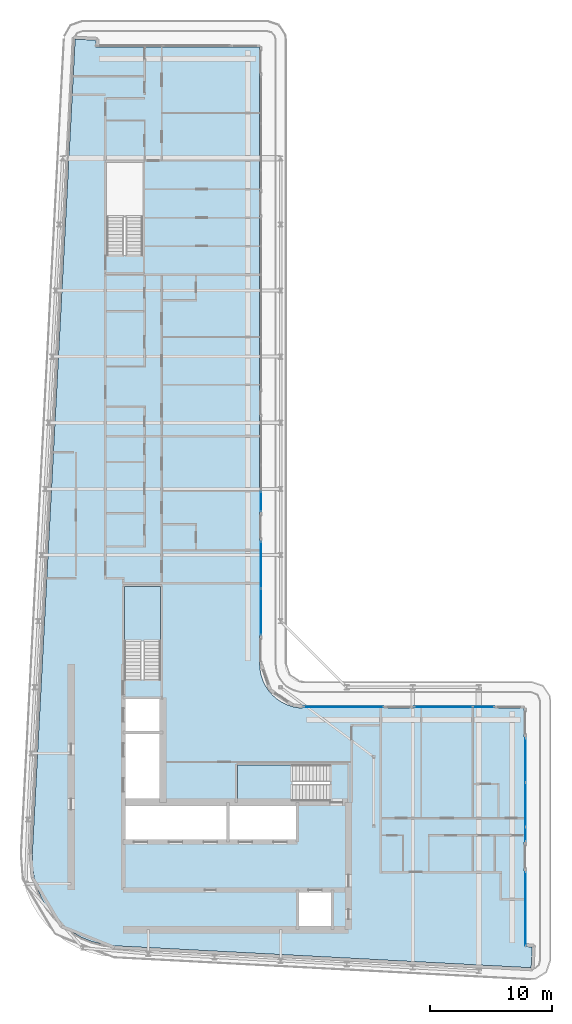
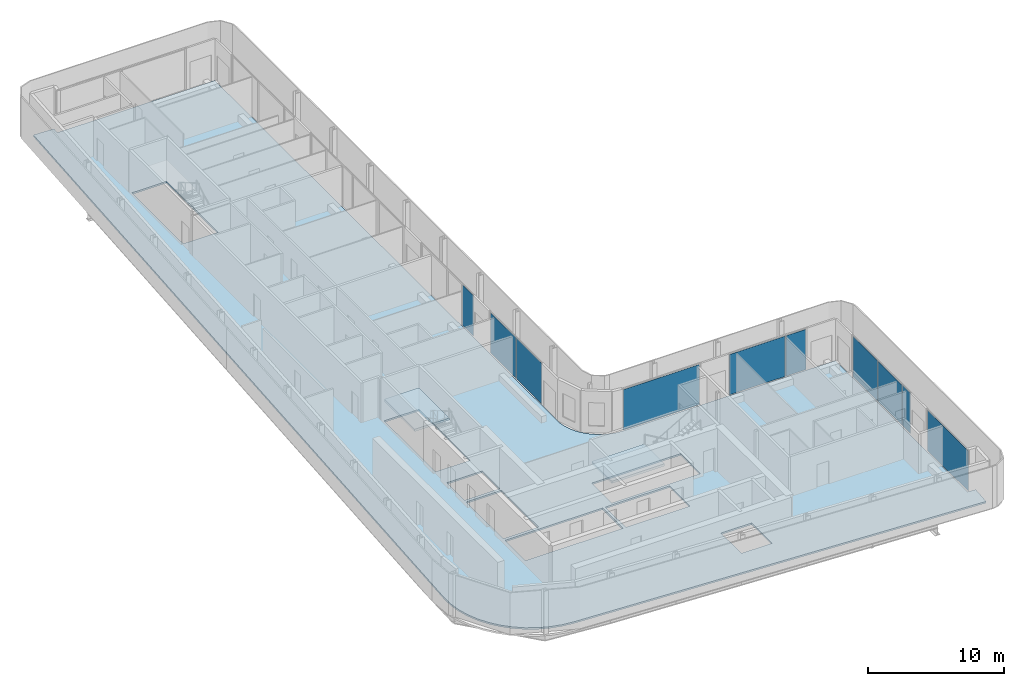
# One storey, part 9 of 21: 10 plates, 3 slabs, 9 elements without a shape of their own.
"""IFC4 building model written with IfcOpenShell, lengths in metres."""

from ifc_helpers import new_model, si_unit, direction, frame, origin, origin_2d, place, context, subcontext, project, spatial, polyline, rectangle, outline, extrude, material, layer, layer_set, type_object, element, aggregate, save


model = new_model("IFC4")

# Units and contexts
model_context = context("Model", 3, precision=1e-05, world=origin(), true_north=direction((0.0, 1.0)))
body_context = subcontext(model_context, "Body", "Model", "MODEL_VIEW")
ifc_project = project(units=[si_unit("LENGTHUNIT", "METRE"), si_unit("AREAUNIT", "SQUARE_METRE"), si_unit("VOLUMEUNIT", "CUBIC_METRE"), si_unit("PLANEANGLEUNIT", "RADIAN"), si_unit("MASSUNIT", "GRAM", prefix="KILO")], contexts=[model_context])

# Site, building, storey
site_placement = place(None, origin())
site = spatial("IfcSite", under=ifc_project, at=site_placement, CompositionType="ELEMENT")
building_placement = place(site_placement, origin())
building = spatial("IfcBuilding", under=site, at=building_placement, Name="Kheshtan School and Residences Tower", CompositionType="ELEMENT")
storey_placement = place(building_placement, frame((0.0, 0.0, 298.10009765625)))
storey = spatial("IfcBuildingStorey", under=building, at=storey_placement, Name="L70", CompositionType="ELEMENT", Elevation=298.10009765625)

# Curtain wall, plate
ifc_material_1 = material(Name="Clear low-e glass in thermally broken aluminium frame", Category="aluminium")
ifc_layer_1 = layer(ifc_material_1, 0.199951171875)
ifc_layer_set_1 = layer_set([ifc_layer_1], Name="Curtain wall CW-L")
curtain_wall_type = type_object("IfcCurtainWallType", Name="Curtain wall CW-L", PredefinedType="NOTDEFINED", material=ifc_layer_set_1)
curtain_wall_1_placement = place(storey_placement, origin())
curtain_wall_1 = element("IfcCurtainWall", 1, at=curtain_wall_1_placement, inside=storey, type_object=curtain_wall_type, Name="Curtain wall CWL8c", PredefinedType="NOTDEFINED")
ifc_layer_2 = layer(ifc_material_1, 0.031982421875)
ifc_layer_set_2 = layer_set([ifc_layer_2], Name="CW-L glass panel")
plate_type = type_object("IfcPlateType", Name="CW-L glass panel", PredefinedType="CURTAIN_PANEL", material=ifc_layer_set_2)
plate_1_placement = place(storey_placement, frame((46.0, 60.777099609375, 0.0), z_axis=(0.0, 0.0, 1.0), x_axis=(0.0, -1.0, 0.0)))
plate_1 = element("IfcPlate", 2, at=plate_1_placement, type_object=plate_type, Name="CWL8c panel 3.1", PredefinedType="CURTAIN_PANEL", context=body_context, shape_type="SweptSolid", body=[
    extrude(rectangle(XDim=1.5859375, YDim=0.031982421875, at=origin_2d()), origin(), (0.0, 0.0, 1.0), 3.6298828125),
])
aggregate(curtain_wall_1, [plate_1])

# Curtain wall, plates
curtain_wall_2_placement = place(storey_placement, origin())
curtain_wall_2 = element("IfcCurtainWall", 3, at=curtain_wall_2_placement, inside=storey, type_object=curtain_wall_type, Name="Curtain wall CWL8", PredefinedType="NOTDEFINED")
plate_2_placement = place(storey_placement, frame((46.0, 55.58544921875, 0.0), z_axis=(0.0, 0.0, 1.0), x_axis=(0.0, -1.0, 0.0)))
plate_2 = element("IfcPlate", 4, at=plate_2_placement, type_object=plate_type, Name="CWL8 panel 1.1", PredefinedType="CURTAIN_PANEL", context=body_context, shape_type="SweptSolid", body=[
    extrude(rectangle(XDim=3.757080078125, YDim=0.031982421875, at=origin_2d()), origin(), (0.0, 0.0, 1.0), 3.6298828125),
])
plate_3_placement = place(storey_placement, frame((46.0, 51.7685546875, 0.0), z_axis=(0.0, 0.0, 1.0), x_axis=(0.0, -1.0, 0.0)))
plate_3 = element("IfcPlate", 5, at=plate_3_placement, type_object=plate_type, Name="CWL8 panel 2.1", PredefinedType="CURTAIN_PANEL", context=body_context, shape_type="SweptSolid", body=[
    extrude(rectangle(XDim=3.757080078125, YDim=0.031982421875, at=origin_2d()), origin(), (0.0, 0.0, 1.0), 3.6298828125),
])
aggregate(curtain_wall_2, [plate_2, plate_3])

# Curtain wall, plate
curtain_wall_3_placement = place(storey_placement, origin())
curtain_wall_3 = element("IfcCurtainWall", 6, at=curtain_wall_3_placement, inside=storey, type_object=curtain_wall_type, Name="Curtain wall CWL1233", PredefinedType="NOTDEFINED")
plate_4_placement = place(storey_placement, frame((52.74755859375, 44.0, 0.0), z_axis=(0.0, 0.0, 1.0), x_axis=(1.0, 0.0, 0.0)))
plate_4 = element("IfcPlate", 7, at=plate_4_placement, type_object=plate_type, Name="CWL1233 panel 1.1", PredefinedType="CURTAIN_PANEL", context=body_context, shape_type="SweptSolid", body=[
    extrude(rectangle(XDim=6.514892578125, YDim=0.031982421875, at=origin_2d()), origin(), (0.0, 0.0, 1.0), 3.6298828125),
])
aggregate(curtain_wall_3, [plate_4])

# Curtain wall, plates
curtain_wall_4_placement = place(storey_placement, origin())
curtain_wall_4 = element("IfcCurtainWall", 8, at=curtain_wall_4_placement, inside=storey, type_object=curtain_wall_type, Name="Curtain wall CWL1234", PredefinedType="NOTDEFINED")
plate_5_placement = place(storey_placement, frame((60.8974609375, 44.0, 0.0), z_axis=(0.0, 0.0, 1.0), x_axis=(1.0, 0.0, 0.0)))
plate_5 = element("IfcPlate", 9, at=plate_5_placement, type_object=plate_type, Name="CWL1234 panel 1.1", PredefinedType="CURTAIN_PANEL", context=body_context, shape_type="SweptSolid", body=[
    extrude(rectangle(XDim=4.7451171875, YDim=0.031982421875, at=origin_2d()), origin(), (0.0, 0.0, 1.0), 3.6298828125),
])
plate_6_placement = place(storey_placement, frame((64.18505859375, 44.0, 0.0), z_axis=(0.0, 0.0, 1.0), x_axis=(1.0, 0.0, 0.0)))
plate_6 = element("IfcPlate", 10, at=plate_6_placement, type_object=plate_type, Name="CWL1234 panel 2.1", PredefinedType="CURTAIN_PANEL", context=body_context, shape_type="SweptSolid", body=[
    extrude(rectangle(XDim=1.7099609375, YDim=0.031982421875, at=origin_2d()), origin(), (0.0, 0.0, 1.0), 3.6298828125),
])
aggregate(curtain_wall_4, [plate_5, plate_6])

curtain_wall_5_placement = place(storey_placement, origin())
curtain_wall_5 = element("IfcCurtainWall", 11, at=curtain_wall_5_placement, inside=storey, type_object=curtain_wall_type, Name="Curtain wall CWL13e", PredefinedType="NOTDEFINED")
plate_7_placement = place(storey_placement, frame((67.60009765625, 39.64990234375, 0.0), z_axis=(0.0, 0.0, 1.0), x_axis=(0.0, -1.0, 0.0)))
plate_7 = element("IfcPlate", 12, at=plate_7_placement, type_object=plate_type, Name="CWL13e panel 1.1", PredefinedType="CURTAIN_PANEL", context=body_context, shape_type="SweptSolid", body=[
    extrude(rectangle(XDim=3.580322265625, YDim=0.031982421875, at=origin_2d()), origin(), (0.0, 0.0, 1.0), 3.6298828125),
])
plate_8_placement = place(storey_placement, frame((67.60009765625, 36.009521484375, 0.0), z_axis=(0.0, 0.0, 1.0), x_axis=(0.0, -1.0, 0.0)))
plate_8 = element("IfcPlate", 13, at=plate_8_placement, type_object=plate_type, Name="CWL13e panel 2.1", PredefinedType="CURTAIN_PANEL", context=body_context, shape_type="SweptSolid", body=[
    extrude(rectangle(XDim=3.580322265625, YDim=0.031982421875, at=origin_2d()), origin(), (0.0, 0.0, 1.0), 3.6298828125),
])
aggregate(curtain_wall_5, [plate_7, plate_8])

# Curtain wall, plate
curtain_wall_6_placement = place(storey_placement, origin())
curtain_wall_6 = element("IfcCurtainWall", 14, at=curtain_wall_6_placement, inside=storey, type_object=curtain_wall_type, Name="Curtain wall CWL13f", PredefinedType="NOTDEFINED")
plate_9_placement = place(storey_placement, frame((67.60009765625, 33.589599609375, 0.0), z_axis=(0.0, 0.0, 1.0), x_axis=(0.0, -1.0, 0.0)))
plate_9 = element("IfcPlate", 15, at=plate_9_placement, type_object=plate_type, Name="CWL13f panel 1.1", PredefinedType="CURTAIN_PANEL", context=body_context, shape_type="SweptSolid", body=[
    extrude(rectangle(XDim=1.139892578125, YDim=0.031982421875, at=origin_2d()), origin(), (0.0, 0.0, 1.0), 3.6298828125),
])
aggregate(curtain_wall_6, [plate_9])

curtain_wall_7_placement = place(storey_placement, origin())
curtain_wall_7 = element("IfcCurtainWall", 16, at=curtain_wall_7_placement, inside=storey, type_object=curtain_wall_type, Name="Curtain wall CWL13g", PredefinedType="NOTDEFINED")
plate_10_placement = place(storey_placement, frame((67.60009765625, 27.4892578125, 0.0), z_axis=(0.0, 0.0, 1.0), x_axis=(0.0, -1.0, 0.0)))
plate_10 = element("IfcPlate", 17, at=plate_10_placement, type_object=plate_type, Name="CWL13g panel 1.1", PredefinedType="CURTAIN_PANEL", context=body_context, shape_type="SweptSolid", body=[
    extrude(rectangle(XDim=6.0205078125, YDim=0.031982421875, at=origin_2d()), origin(), (0.0, 0.0, 1.0), 3.6298828125),
])
aggregate(curtain_wall_7, [plate_10])

# Slab
ifc_material_2 = material(Name="Concrete C40/50", Category="concrete")
ifc_layer_3 = layer(ifc_material_2, 0.14990234375)
ifc_layer_set_3 = layer_set([ifc_layer_3], Name="Floor slab 150 Concrete C40/50")
slab_type_1 = type_object("IfcSlabType", Name="Floor slab 150 Concrete C40/50", PredefinedType="FLOOR", material=ifc_layer_set_3)
slab_1_placement = place(storey_placement, frame((0.0, 0.0, -0.150146484375)))
element("IfcSlab", 18, at=slab_1_placement, inside=storey, type_object=slab_type_1, Name="Floor slab L70", PredefinedType="FLOOR", context=body_context, shape_type="SweptSolid", body=[
    extrude(outline(polyline([(28.55908203125, 27.550048828125), (28.0849609375, 28.345947265625), (27.718017578125, 29.200927734375), (27.466064453125, 30.093017578125), (27.466064453125, 30.093994140625), (27.3330078125, 31.013916015625), (27.320068359375, 31.965087890625), (27.320068359375, 31.970947265625), (30.822021484375, 98.5009765625), (30.822998046875, 98.508056640625), (30.825927734375, 98.531005859375), (30.825927734375, 98.531982421875), (30.826904296875, 98.531982421875), (31.422119140625, 98.5), (31.423095703125, 98.5), (31.423095703125, 98.4990234375), (31.423095703125, 98.4951171875), (31.423095703125, 98.493896484375), (31.424072265625, 98.493896484375), (31.424072265625, 98.492919921875), (31.425048828125, 98.492919921875), (31.426025390625, 98.492919921875), (31.426025390625, 98.493896484375), (31.427978515625, 98.49609375), (31.428955078125, 98.4970703125), (31.429931640625, 98.498046875), (31.430908203125, 98.498046875), (31.430908203125, 98.4990234375), (31.431884765625, 98.4990234375), (31.431884765625, 98.5), (31.43505859375, 98.5009765625), (31.43603515625, 98.501953125), (31.43896484375, 98.501953125), (31.43994140625, 98.501953125), (31.43994140625, 98.5029296875), (31.44091796875, 98.5029296875), (31.446044921875, 98.5029296875), (32.5009765625, 98.447021484375), (32.50390625, 98.447021484375), (32.5048828125, 98.447021484375), (32.5048828125, 98.446044921875), (32.506103515625, 98.446044921875), (32.510009765625, 98.446044921875), (32.510009765625, 98.445068359375), (32.510986328125, 98.445068359375), (32.510986328125, 98.444091796875), (32.511962890625, 98.444091796875), (32.511962890625, 98.443115234375), (32.512939453125, 98.443115234375), (32.513916015625, 98.443115234375), (32.513916015625, 98.44189453125), (32.514892578125, 98.44189453125), (32.51611328125, 98.44189453125), (32.51904296875, 98.43896484375), (32.51904296875, 98.43798828125), (32.51904296875, 98.43701171875), (32.52001953125, 98.43701171875), (32.52001953125, 98.43603515625), (32.52099609375, 98.43603515625), (32.52099609375, 98.43408203125), (32.52099609375, 98.43310546875), (32.52197265625, 98.43310546875), (32.52197265625, 98.431884765625), (32.52294921875, 98.431884765625), (32.52294921875, 98.430908203125), (32.52294921875, 98.428955078125), (32.52294921875, 98.427978515625), (32.52392578125, 98.427978515625), (32.52392578125, 98.427001953125), (32.52392578125, 98.422119140625), (32.4970703125, 97.9208984375), (32.4970703125, 97.91796875), (32.4970703125, 97.9169921875), (32.49609375, 97.9169921875), (32.49609375, 97.916015625), (32.49609375, 97.912109375), (32.4951171875, 97.910888671875), (32.4951171875, 97.909912109375), (32.493896484375, 97.909912109375), (32.493896484375, 97.908935546875), (32.492919921875, 97.908935546875), (32.492919921875, 97.907958984375), (32.489013671875, 97.904052734375), (32.488037109375, 97.904052734375), (32.488037109375, 97.903076171875), (32.488037109375, 97.902099609375), (32.488037109375, 97.90087890625), (32.489013671875, 97.90087890625), (32.489013671875, 97.89990234375), (32.489990234375, 97.89990234375), (45.85498046875, 97.89990234375), (45.864990234375, 97.89794921875), (45.865966796875, 97.89794921875), (45.868896484375, 97.89599609375), (45.8740234375, 97.89404296875), (45.8779296875, 97.89208984375), (45.881103515625, 97.889892578125), (45.881103515625, 97.888916015625), (45.882080078125, 97.888916015625), (45.882080078125, 97.887939453125), (45.883056640625, 97.887939453125), (45.884033203125, 97.885009765625), (45.885009765625, 97.885009765625), (45.885009765625, 97.884033203125), (45.887939453125, 97.883056640625), (45.887939453125, 97.882080078125), (45.888916015625, 97.882080078125), (45.888916015625, 97.881103515625), (45.889892578125, 97.881103515625), (45.89208984375, 97.8779296875), (45.89404296875, 97.8740234375), (45.89599609375, 97.868896484375), (45.89794921875, 97.865966796875), (45.89794921875, 97.864990234375), (45.89990234375, 97.85498046875), (45.89990234375, 47.429931640625), (45.927001953125, 47.030029296875), (46.01806640625, 46.570068359375), (46.01806640625, 46.569091796875), (46.169921875, 46.1201171875), (46.37890625, 45.697021484375), (46.638916015625, 45.30810546875), (46.949951171875, 44.950927734375), (46.950927734375, 44.949951171875), (47.30810546875, 44.638916015625), (47.697021484375, 44.37890625), (48.1201171875, 44.169921875), (48.569091796875, 44.01806640625), (48.570068359375, 44.01806640625), (49.030029296875, 43.927001953125), (49.429931640625, 43.89990234375), (67.455078125, 43.89990234375), (67.4599609375, 43.89892578125), (67.465087890625, 43.89794921875), (67.466064453125, 43.89794921875), (67.468994140625, 43.89599609375), (67.47412109375, 43.89404296875), (67.47802734375, 43.89208984375), (67.48095703125, 43.889892578125), (67.48095703125, 43.888916015625), (67.48193359375, 43.888916015625), (67.48193359375, 43.887939453125), (67.48291015625, 43.887939453125), (67.48388671875, 43.885009765625), (67.485107421875, 43.885009765625), (67.485107421875, 43.884033203125), (67.488037109375, 43.883056640625), (67.488037109375, 43.882080078125), (67.489013671875, 43.882080078125), (67.489013671875, 43.881103515625), (67.489990234375, 43.881103515625), (67.491943359375, 43.8779296875), (67.493896484375, 43.8740234375), (67.49609375, 43.868896484375), (67.498046875, 43.865966796875), (67.498046875, 43.864990234375), (67.4990234375, 43.860107421875), (67.5, 43.85498046875), (67.5, 24.4140625), (67.5, 24.4130859375), (67.5009765625, 24.4130859375), (67.5009765625, 24.412109375), (67.501953125, 24.412109375), (67.5029296875, 24.412109375), (67.5029296875, 24.4130859375), (67.5048828125, 24.4150390625), (67.507080078125, 24.4169921875), (67.508056640625, 24.4169921875), (67.508056640625, 24.41796875), (67.509033203125, 24.41796875), (67.509033203125, 24.4189453125), (67.510009765625, 24.4189453125), (67.511962890625, 24.419921875), (67.512939453125, 24.4208984375), (67.51611328125, 24.4208984375), (67.51708984375, 24.4208984375), (67.51708984375, 24.422119140625), (67.51806640625, 24.422119140625), (67.52294921875, 24.422119140625), (68.137939453125, 24.388916015625), (68.14111328125, 24.388916015625), (68.14208984375, 24.388916015625), (68.14208984375, 24.387939453125), (68.14306640625, 24.387939453125), (68.14697265625, 24.387939453125), (68.14697265625, 24.386962890625), (68.14794921875, 24.386962890625), (68.14794921875, 24.385986328125), (68.14892578125, 24.385986328125), (68.14892578125, 24.385009765625), (68.14990234375, 24.385009765625), (68.15087890625, 24.385009765625), (68.15087890625, 24.384033203125), (68.152099609375, 24.384033203125), (68.153076171875, 24.384033203125), (68.153076171875, 24.383056640625), (68.155029296875, 24.381103515625), (68.156005859375, 24.381103515625), (68.156005859375, 24.3798828125), (68.156005859375, 24.37890625), (68.156982421875, 24.37890625), (68.156982421875, 24.3779296875), (68.157958984375, 24.3779296875), (68.157958984375, 24.3759765625), (68.157958984375, 24.375), (68.158935546875, 24.375), (68.158935546875, 24.3740234375), (68.159912109375, 24.3740234375), (68.159912109375, 24.373046875), (68.159912109375, 24.37109375), (68.159912109375, 24.3701171875), (68.160888671875, 24.3701171875), (68.160888671875, 24.368896484375), (68.160888671875, 24.364013671875), (68.10498046875, 23.306884765625), (68.10498046875, 23.303955078125), (68.10498046875, 23.302978515625), (68.10400390625, 23.302978515625), (68.10400390625, 23.302001953125), (68.10400390625, 23.298095703125), (68.10302734375, 23.297119140625), (68.10302734375, 23.2958984375), (68.10205078125, 23.2958984375), (68.10205078125, 23.294921875), (68.10107421875, 23.294921875), (68.10107421875, 23.2939453125), (68.10009765625, 23.29296875), (68.097900390625, 23.291015625), (68.096923828125, 23.2900390625), (68.095947265625, 23.2900390625), (68.095947265625, 23.2890625), (68.095947265625, 23.2880859375), (68.095947265625, 23.287109375), (68.096923828125, 23.287109375), (68.096923828125, 23.285888671875), (68.097900390625, 23.285888671875), (68.09912109375, 23.285888671875), (68.10009765625, 23.285888671875), (68.10009765625, 23.284912109375), (68.068115234375, 22.68994140625), (68.068115234375, 22.68896484375), (68.06689453125, 22.68896484375), (68.04296875, 22.68798828125), (68.0380859375, 22.68798828125), (34.056884765625, 24.47802734375), (33.114990234375, 24.590087890625), (32.215087890625, 24.819091796875), (32.214111328125, 24.819091796875), (31.35205078125, 25.1630859375), (30.541015625, 25.616943359375), (29.799072265625, 26.1708984375), (29.799072265625, 26.172119140625), (29.798095703125, 26.172119140625), (29.134033203125, 26.820068359375), (29.134033203125, 26.821044921875), (29.133056640625, 26.821044921875), (28.55908203125, 27.550048828125)]), holes=[polyline([(67.5009765625, 23.29296875), (67.5, 23.29296875), (67.5, 23.2919921875), (67.5, 23.2880859375), (67.5, 23.287109375), (67.5009765625, 23.287109375), (67.5009765625, 23.285888671875), (67.501953125, 23.285888671875), (67.506103515625, 23.285888671875), (67.507080078125, 23.285888671875), (67.507080078125, 23.287109375), (67.508056640625, 23.287109375), (67.508056640625, 23.2880859375), (67.508056640625, 23.2890625), (67.507080078125, 23.2890625), (67.506103515625, 23.2900390625), (67.5048828125, 23.291015625), (67.5029296875, 23.29296875), (67.5029296875, 23.2939453125), (67.501953125, 23.2939453125), (67.5009765625, 23.2939453125), (67.5009765625, 23.29296875)]), polyline([(31.424072265625, 97.906982421875), (31.423095703125, 97.906982421875), (31.423095703125, 97.906005859375), (31.423095703125, 97.902099609375), (31.423095703125, 97.90087890625), (31.424072265625, 97.90087890625), (31.424072265625, 97.89990234375), (31.425048828125, 97.89990234375), (31.428955078125, 97.89990234375), (31.429931640625, 97.89990234375), (31.429931640625, 97.90087890625), (31.430908203125, 97.90087890625), (31.430908203125, 97.902099609375), (31.430908203125, 97.903076171875), (31.429931640625, 97.903076171875), (31.428955078125, 97.904052734375), (31.427978515625, 97.905029296875), (31.427001953125, 97.906005859375), (31.426025390625, 97.906982421875), (31.426025390625, 97.907958984375), (31.425048828125, 97.907958984375), (31.424072265625, 97.907958984375), (31.424072265625, 97.906982421875)]), polyline([(51.72509765625, 28.925048828125), (49.125, 28.925048828125), (49.125, 25.925048828125), (51.72509765625, 25.925048828125), (51.72509765625, 28.925048828125)]), polyline([(43.175048828125, 33.074951171875), (43.175048828125, 36.074951171875), (34.875, 36.074951171875), (34.875, 33.074951171875), (43.175048828125, 33.074951171875)]), polyline([(43.425048828125, 36.074951171875), (43.425048828125, 33.074951171875), (48.875, 33.074951171875), (48.875, 36.074951171875), (43.425048828125, 36.074951171875)]), polyline([(51.64990234375, 37.699951171875), (51.64990234375, 39.25), (44.090087890625, 39.25), (44.090087890625, 36.300048828125), (51.639892578125, 36.300048828125), (51.639892578125, 37.699951171875), (51.64990234375, 37.699951171875)]), polyline([(37.875, 41.77490234375), (34.875, 41.77490234375), (34.875, 36.324951171875), (37.875, 36.324951171875), (37.875, 41.77490234375)]), polyline([(37.875, 44.625), (34.875, 44.625), (34.875, 42.02490234375), (37.875, 42.02490234375), (37.875, 44.625)]), polyline([(37.800048828125, 53.81005859375), (34.85009765625, 53.81005859375), (34.85009765625, 46.260009765625), (36.25, 46.260009765625), (36.25, 46.25), (37.800048828125, 46.25), (37.800048828125, 53.81005859375)]), polyline([(36.35009765625, 88.4599609375), (33.39990234375, 88.4599609375), (33.39990234375, 80.909912109375), (34.800048828125, 80.909912109375), (34.800048828125, 80.89990234375), (36.35009765625, 80.89990234375), (36.35009765625, 88.4599609375)])]), origin(), (0.0, 0.0, 1.0), 0.150146484375),
])

# Stair, slab
stair_type = type_object("IfcStairType", Name="Exit stair, half-turn", PredefinedType="HALF_TURN_STAIR", material=ifc_material_2)
stair_1_placement = place(storey_placement, origin())
stair_1 = element("IfcStair", 19, at=stair_1_placement, inside=storey, type_object=stair_type, Name="L70 Protected Exit Stair ST1", PredefinedType="HALF_TURN_STAIR")
ifc_layer_4 = layer(ifc_material_2, 0.199951171875)
ifc_layer_set_4 = layer_set([ifc_layer_4], Name="Stair landing 200 Concrete C40/50")
slab_type_2 = type_object("IfcSlabType", Name="Stair landing 200 Concrete C40/50", PredefinedType="LANDING", material=ifc_layer_set_4)
slab_2_placement = place(storey_placement, frame((0.0, 0.0, 1.75)))
slab_2 = element("IfcSlab", 20, at=slab_2_placement, type_object=slab_type_2, Name="ST1 landing 1", PredefinedType="LANDING", context=body_context, shape_type="SweptSolid", body=[
    extrude(outline(polyline([(48.570068359375, 39.25), (44.090087890625, 39.25), (44.090087890625, 36.300048828125), (48.570068359375, 36.300048828125), (48.570068359375, 39.25)])), origin(), (0.0, 0.0, 1.0), 0.199951171875),
])
aggregate(stair_1, [slab_2])

stair_2_placement = place(storey_placement, origin())
stair_2 = element("IfcStair", 21, at=stair_2_placement, inside=storey, type_object=stair_type, Name="L70 Protected Exit Stair ST2", PredefinedType="HALF_TURN_STAIR")
slab_3_placement = place(storey_placement, frame((0.0, 0.0, 1.75)))
slab_3 = element("IfcSlab", 22, at=slab_3_placement, type_object=slab_type_2, Name="ST2 landing 1", PredefinedType="LANDING", context=body_context, shape_type="SweptSolid", body=[
    extrude(outline(polyline([(37.800048828125, 49.330078125), (37.800048828125, 53.81005859375), (34.85009765625, 53.81005859375), (34.85009765625, 49.330078125), (37.800048828125, 49.330078125)])), origin(), (0.0, 0.0, 1.0), 0.199951171875),
])
aggregate(stair_2, [slab_3])

save(model, "model.ifc")
